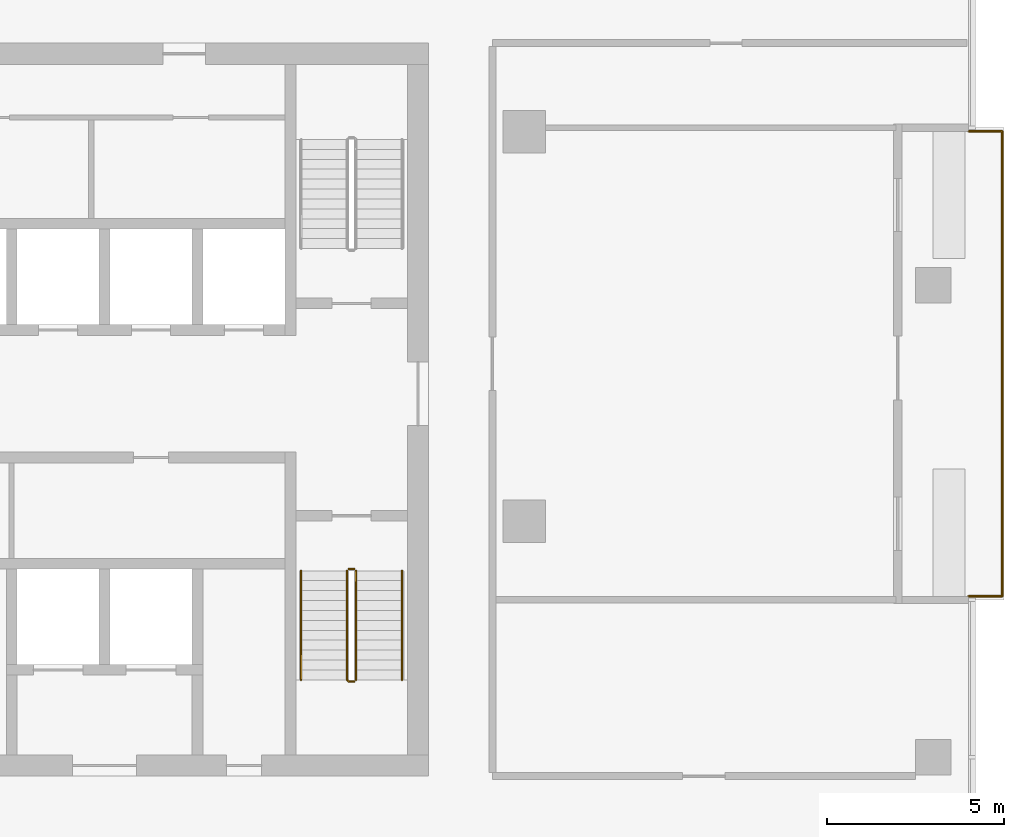
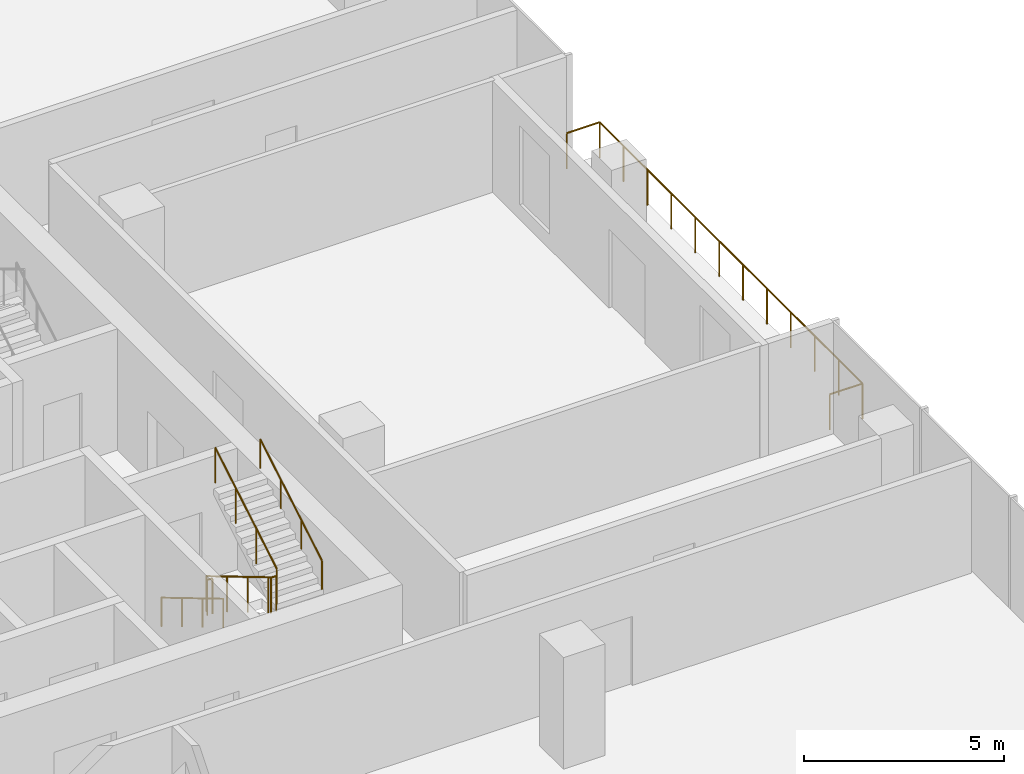
# One storey, part 12 of 13: 6 railings.
"""IFC4 building model written with IfcOpenShell, lengths in metres."""

from ifc_helpers import new_model, si_unit, direction, frame, origin, origin_2d, place, context, subcontext, project, spatial, circle, extrude, material, type_object, element, save


model = new_model("IFC4")

# Units and contexts
model_context = context("Model", 3, precision=1e-05, world=origin(), true_north=direction((0.0, 1.0)))
body_context = subcontext(model_context, "Body", "Model", "MODEL_VIEW")
ifc_project = project(units=[si_unit("LENGTHUNIT", "METRE"), si_unit("AREAUNIT", "SQUARE_METRE"), si_unit("VOLUMEUNIT", "CUBIC_METRE"), si_unit("PLANEANGLEUNIT", "RADIAN"), si_unit("MASSUNIT", "GRAM", prefix="KILO")], contexts=[model_context])

# Site, building, storey
site_placement = place(None, origin())
site = spatial("IfcSite", under=ifc_project, at=site_placement, CompositionType="ELEMENT")
building_placement = place(site_placement, origin())
building = spatial("IfcBuilding", under=site, at=building_placement, Name="Mopane Tessera Tower", CompositionType="ELEMENT")
storey_placement = place(building_placement, frame((0.0, 0.0, 311.39990234375)))
storey = spatial("IfcBuildingStorey", under=building, at=storey_placement, Name="L68", CompositionType="ELEMENT", Elevation=311.39990234375)

# Railings
ifc_material_1 = material(Name="Powder-coated steel balustrade", Category="steel")
railing_type_1 = type_object("IfcRailingType", Name="Escape stair guard 1100 mm", PredefinedType="GUARDRAIL", material=ifc_material_1)
railing_1_placement = place(storey_placement, frame((12.10009765625, -1.39990234375, 0.166748046875)))
element("IfcRailing", 1, at=railing_1_placement, inside=storey, type_object=railing_type_1, Name="L68 ST3 stair guard 1", PredefinedType="GUARDRAIL", context=body_context, shape_type="SweptSolid", body=[
    extrude(circle(Radius=0.02392578125, at=origin_2d()), frame((0.0, 0.0, 1.076171875), z_axis=(0.0, -0.859308565015, 0.511457515432), x_axis=(1.0, 0.0, 0.0)), (0.0, 0.0, 1.0), 3.58447265625),
    extrude(circle(Radius=0.02392578125, at=origin_2d()), frame((0.0, -3.080078125, 2.9091796875), z_axis=(0.705375805398, -0.708833529934, 0.0), x_axis=(0.708833529934, 0.705375805398, 0.0)), (0.0, 0.0, 1.0), 0.070556640625),
    extrude(circle(Radius=0.02392578125, at=origin_2d()), frame((0.0498046875, -3.130126953125, 2.9091796875), z_axis=(1.0, 0.0, 0.0), x_axis=(0.0, 1.0, 0.0)), (0.0, 0.0, 1.0), 0.150146484375),
    extrude(circle(Radius=0.02099609375, at=origin_2d()), origin(), (0.0, 0.0, 1.0), 1.052001953125),
    extrude(circle(Radius=0.02099609375, at=origin_2d()), frame((0.0, -1.026611328125, 0.611083984375)), (0.0, 0.0, 1.0), 1.052001953125),
    extrude(circle(Radius=0.02099609375, at=origin_2d()), frame((0.0, -2.053466796875, 1.22216796875)), (0.0, 0.0, 1.0), 1.052001953125),
    extrude(circle(Radius=0.02099609375, at=origin_2d()), frame((0.0, -3.080078125, 1.833251953125)), (0.0, 0.0, 1.0), 1.052001953125),
    extrude(circle(Radius=0.02099609375, at=origin_2d()), frame((0.0498046875, -3.130126953125, 1.833251953125)), (0.0, 0.0, 1.0), 1.052001953125),
    extrude(circle(Radius=0.02099609375, at=origin_2d()), frame((0.199951171875, -3.130126953125, 1.833251953125)), (0.0, 0.0, 1.0), 1.052001953125),
])
railing_2_placement = place(storey_placement, frame((12.35009765625, -4.47998046875, 2.166748046875)))
element("IfcRailing", 2, at=railing_2_placement, inside=storey, type_object=railing_type_1, Name="L68 ST3 stair guard 2", PredefinedType="GUARDRAIL", context=body_context, shape_type="SweptSolid", body=[
    extrude(circle(Radius=0.02392578125, at=origin_2d()), frame((0.0, 0.0, 1.076171875), z_axis=(0.0, 0.859308565015, 0.511457515432), x_axis=(-1.0, 0.0, 0.0)), (0.0, 0.0, 1.0), 3.58447265625),
    extrude(circle(Radius=0.02099609375, at=origin_2d()), origin(), (0.0, 0.0, 1.0), 1.052001953125),
    extrude(circle(Radius=0.02099609375, at=origin_2d()), frame((0.0, 1.026611328125, 0.611083984375)), (0.0, 0.0, 1.0), 1.052001953125),
    extrude(circle(Radius=0.02099609375, at=origin_2d()), frame((0.0, 2.053466796875, 1.22216796875)), (0.0, 0.0, 1.0), 1.052001953125),
    extrude(circle(Radius=0.02099609375, at=origin_2d()), frame((0.0, 3.080078125, 1.833251953125)), (0.0, 0.0, 1.0), 1.052001953125),
])
railing_3_placement = place(storey_placement, frame((12.14990234375, -1.35009765625, 0.0)))
element("IfcRailing", 3, at=railing_3_placement, inside=storey, type_object=railing_type_1, Name="L68 ST3 stair guard 3", PredefinedType="GUARDRAIL", context=body_context, shape_type="SweptSolid", body=[
    extrude(circle(Radius=0.02392578125, at=origin_2d()), frame((0.0, 0.0, 1.076171875), z_axis=(1.0, 0.0, 0.0), x_axis=(0.0, 1.0, 0.0)), (0.0, 0.0, 1.0), 0.150146484375),
    extrude(circle(Radius=0.02099609375, at=origin_2d()), origin(), (0.0, 0.0, 1.0), 1.052001953125),
    extrude(circle(Radius=0.02099609375, at=origin_2d()), frame((0.150146484375, 0.0, 0.0)), (0.0, 0.0, 1.0), 1.052001953125),
])
ifc_material_2 = material(Name="Powder-coated steel balustrade", Category="steel")
railing_type_2 = type_object("IfcRailingType", Name="Escape stair handrail 900 mm", PredefinedType="HANDRAIL", material=ifc_material_2)
railing_4_placement = place(storey_placement, frame((10.800048828125, -1.39990234375, 0.166748046875)))
element("IfcRailing", 4, at=railing_4_placement, inside=storey, type_object=railing_type_2, Name="L68 ST3 stair handrail 1", PredefinedType="HANDRAIL", context=body_context, shape_type="SweptSolid", body=[
    extrude(circle(Radius=0.02392578125, at=origin_2d()), frame((0.0, 0.0, 0.8759765625), z_axis=(0.0, -0.859308565015, 0.511457515432), x_axis=(1.0, 0.0, 0.0)), (0.0, 0.0, 1.0), 3.58447265625),
    extrude(circle(Radius=0.02099609375, at=origin_2d()), origin(), (0.0, 0.0, 1.0), 0.851806640625),
    extrude(circle(Radius=0.02099609375, at=origin_2d()), frame((0.0, -1.026611328125, 0.611083984375)), (0.0, 0.0, 1.0), 0.851806640625),
    extrude(circle(Radius=0.02099609375, at=origin_2d()), frame((0.0, -2.053466796875, 1.22216796875)), (0.0, 0.0, 1.0), 0.851806640625),
    extrude(circle(Radius=0.02099609375, at=origin_2d()), frame((0.0, -3.080078125, 1.833251953125)), (0.0, 0.0, 1.0), 0.851806640625),
])
railing_5_placement = place(storey_placement, frame((13.64990234375, -4.47998046875, 2.166748046875)))
element("IfcRailing", 5, at=railing_5_placement, inside=storey, type_object=railing_type_2, Name="L68 ST3 stair handrail 2", PredefinedType="HANDRAIL", context=body_context, shape_type="SweptSolid", body=[
    extrude(circle(Radius=0.02392578125, at=origin_2d()), frame((0.0, 0.0, 0.8759765625), z_axis=(0.0, 0.859308565015, 0.511457515432), x_axis=(-1.0, 0.0, 0.0)), (0.0, 0.0, 1.0), 3.58447265625),
    extrude(circle(Radius=0.02099609375, at=origin_2d()), origin(), (0.0, 0.0, 1.0), 0.851806640625),
    extrude(circle(Radius=0.02099609375, at=origin_2d()), frame((0.0, 1.026611328125, 0.611083984375)), (0.0, 0.0, 1.0), 0.851806640625),
    extrude(circle(Radius=0.02099609375, at=origin_2d()), frame((0.0, 2.053466796875, 1.22216796875)), (0.0, 0.0, 1.0), 0.851806640625),
    extrude(circle(Radius=0.02099609375, at=origin_2d()), frame((0.0, 3.080078125, 1.833251953125)), (0.0, 0.0, 1.0), 0.851806640625),
])
ifc_material_3 = material(Name="Stainless steel S316", Category="steel")
railing_type_3 = type_object("IfcRailingType", Name="Terrace guard 1100", PredefinedType="GUARDRAIL", material=ifc_material_3)
railing_6_placement = place(storey_placement, frame((29.64990234375, -2.122314453125, 0.0)))
element("IfcRailing", 6, at=railing_6_placement, inside=storey, type_object=railing_type_3, Name="e:nw:L68:N1:guard", PredefinedType="GUARDRAIL", context=body_context, shape_type="SweptSolid", body=[
    extrude(circle(Radius=0.02392578125, at=origin_2d()), frame((0.0, 0.0, 1.076171875), z_axis=(1.0, 0.0, 0.0), x_axis=(0.0, 1.0, 0.0)), (0.0, 0.0, 1.0), 0.9501953125),
    extrude(circle(Radius=0.02392578125, at=origin_2d()), frame((0.9501953125, 0.0, 1.076171875), z_axis=(0.0, 1.0, 0.0), x_axis=(-1.0, 0.0, 0.0)), (0.0, 0.0, 1.0), 13.133544921875),
    extrude(circle(Radius=0.02392578125, at=origin_2d()), frame((0.9501953125, 13.133544921875, 1.076171875), z_axis=(-1.0, 0.0, 0.0), x_axis=(0.0, -1.0, 0.0)), (0.0, 0.0, 1.0), 0.9501953125),
    extrude(circle(Radius=0.02099609375, at=origin_2d()), origin(), (0.0, 0.0, 1.0), 1.052001953125),
    extrude(circle(Radius=0.02099609375, at=origin_2d()), frame((0.9501953125, 0.0, 0.0)), (0.0, 0.0, 1.0), 1.052001953125),
    extrude(circle(Radius=0.02099609375, at=origin_2d()), frame((0.9501953125, 1.19384765625, 0.0)), (0.0, 0.0, 1.0), 1.052001953125),
    extrude(circle(Radius=0.02099609375, at=origin_2d()), frame((0.9501953125, 2.387939453125, 0.0)), (0.0, 0.0, 1.0), 1.052001953125),
    extrude(circle(Radius=0.02099609375, at=origin_2d()), frame((0.9501953125, 3.581787109375, 0.0)), (0.0, 0.0, 1.0), 1.052001953125),
    extrude(circle(Radius=0.02099609375, at=origin_2d()), frame((0.9501953125, 4.77587890625, 0.0)), (0.0, 0.0, 1.0), 1.052001953125),
    extrude(circle(Radius=0.02099609375, at=origin_2d()), frame((0.9501953125, 5.9697265625, 0.0)), (0.0, 0.0, 1.0), 1.052001953125),
    extrude(circle(Radius=0.02099609375, at=origin_2d()), frame((0.9501953125, 7.163818359375, 0.0)), (0.0, 0.0, 1.0), 1.052001953125),
    extrude(circle(Radius=0.02099609375, at=origin_2d()), frame((0.9501953125, 8.357666015625, 0.0)), (0.0, 0.0, 1.0), 1.052001953125),
    extrude(circle(Radius=0.02099609375, at=origin_2d()), frame((0.9501953125, 9.5517578125, 0.0)), (0.0, 0.0, 1.0), 1.052001953125),
    extrude(circle(Radius=0.02099609375, at=origin_2d()), frame((0.9501953125, 10.74560546875, 0.0)), (0.0, 0.0, 1.0), 1.052001953125),
    extrude(circle(Radius=0.02099609375, at=origin_2d()), frame((0.9501953125, 11.939697265625, 0.0)), (0.0, 0.0, 1.0), 1.052001953125),
    extrude(circle(Radius=0.02099609375, at=origin_2d()), frame((0.9501953125, 13.133544921875, 0.0)), (0.0, 0.0, 1.0), 1.052001953125),
    extrude(circle(Radius=0.02099609375, at=origin_2d()), frame((0.0, 13.133544921875, 0.0)), (0.0, 0.0, 1.0), 1.052001953125),
])

save(model, "model.ifc")
